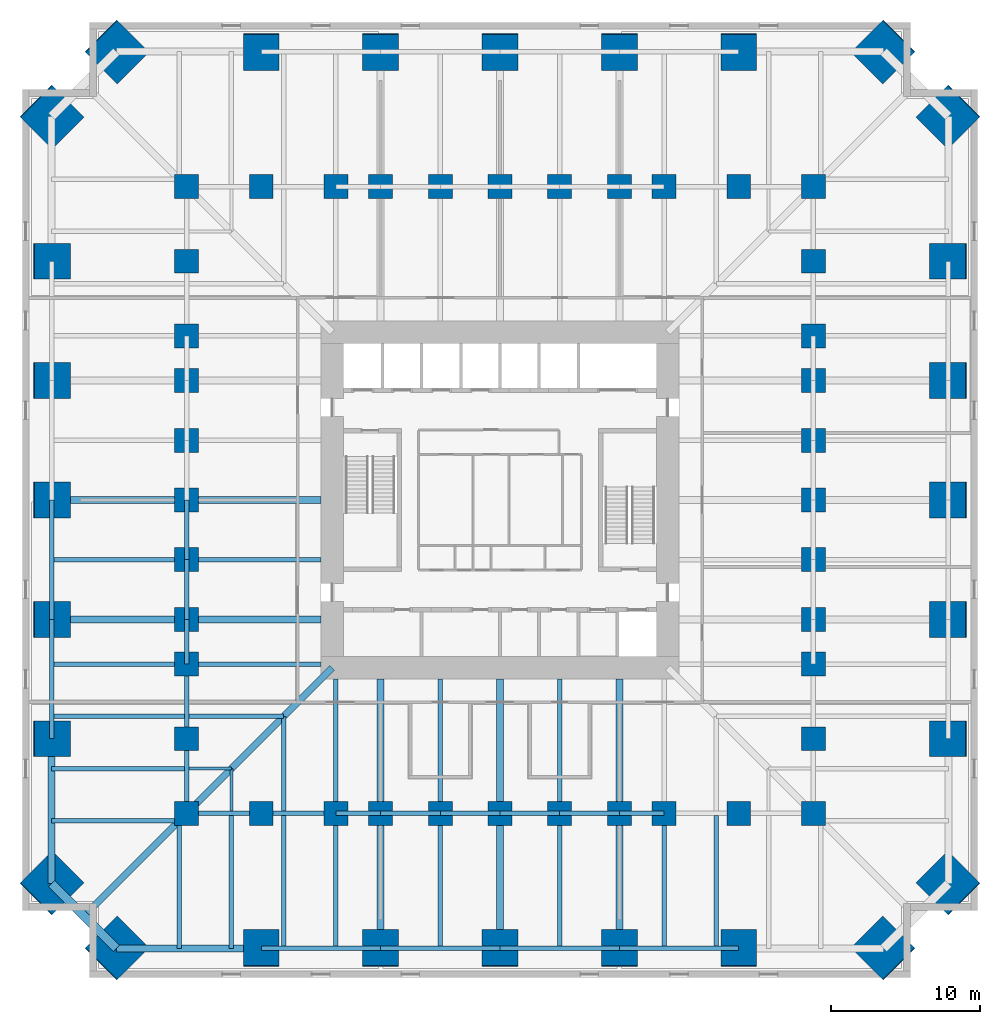
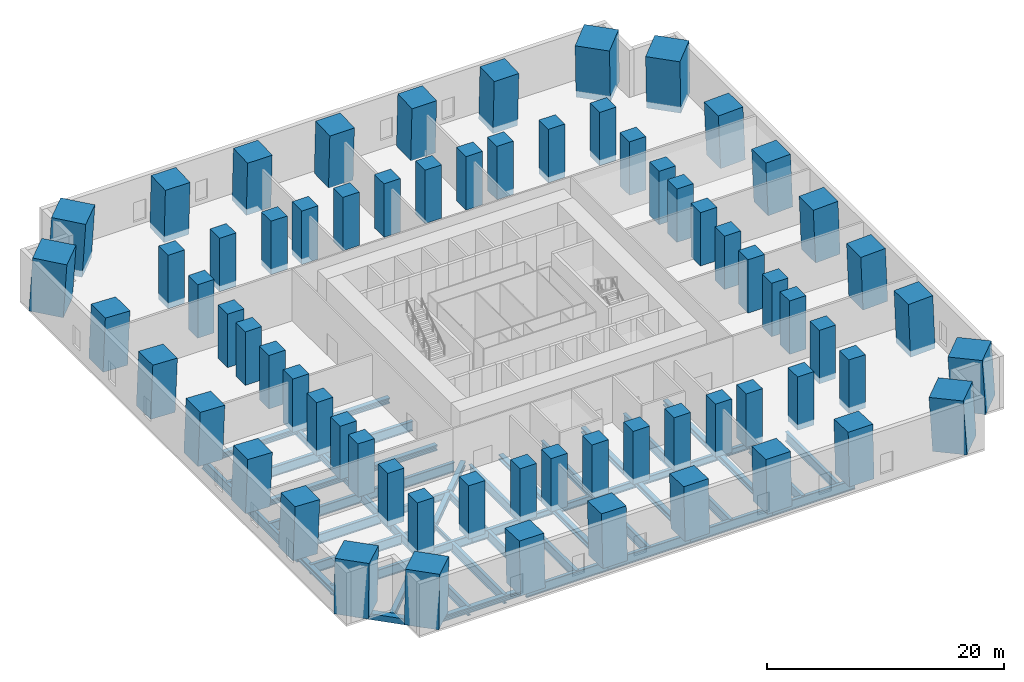
# One storey, part 1 of 8: 68 columns, 56 beams.
"""IFC4 building model written with IfcOpenShell, lengths in metres."""

from ifc_helpers import new_model, si_unit, direction, frame, origin, origin_2d, place, context, subcontext, project, spatial, rectangle, hollow_rectangle, i_section, extrude, material, material_profile, profile_set, type_object, element, save


model = new_model("IFC4")

# Units and contexts
model_context = context("Model", 3, precision=1e-05, world=origin(), true_north=direction((0.0, 1.0)))
body_context = subcontext(model_context, "Body", "Model", "MODEL_VIEW")
ifc_project = project(units=[si_unit("LENGTHUNIT", "METRE"), si_unit("AREAUNIT", "SQUARE_METRE"), si_unit("VOLUMEUNIT", "CUBIC_METRE"), si_unit("PLANEANGLEUNIT", "RADIAN"), si_unit("MASSUNIT", "GRAM", prefix="KILO")], contexts=[model_context])

# Site, building, storey
site_placement = place(None, origin())
site = spatial("IfcSite", under=ifc_project, at=site_placement, CompositionType="ELEMENT")
building_placement = place(site_placement, origin())
building = spatial("IfcBuilding", under=site, at=building_placement, Name="Peilmerk Tower", CompositionType="ELEMENT")
storey_placement = place(building_placement, frame((0.0, 0.0, 21.0)))
storey = spatial("IfcBuildingStorey", under=building, at=storey_placement, Name="L04", CompositionType="ELEMENT", Elevation=21.0)

# Columns
ifc_material_1 = material(Name="Concrete C90/105", Category="concrete")
ifc_material_profile_1 = material_profile(ifc_material_1, rectangle(XDim=3.0, YDim=3.0, at=origin_2d()), Name="RC 3000x3000")
ifc_profile_set_1 = profile_set([ifc_material_profile_1], Name="Concrete C90/105")
column_type_1 = type_object("IfcColumnType", Name="MC1 3000x3000 encased mega column", PredefinedType="COLUMN", material=ifc_profile_set_1)
for number, where, z_axis, x_axis, name in (
    (1, (25.699951171875, 30.050048828125, 0.0), (-0.04024000792, -0.040284325109, 0.998377641433), (0.707495835723, -0.706717512472, 0.0), "Mega column MC1 NE_N L04"),
    (2, (30.050048828125, 25.699951171875, 0.0), (-0.040284325109, -0.04024000792, 0.998377641433), (0.706717512472, -0.707495835723, 0.0), "Mega column MC1 NE_E L04"),
    (3, (30.050048828125, -25.699951171875, 0.0), (-0.040284325109, 0.04024000792, 0.998377641433), (-0.706717512472, -0.707495835723, 0.0), "Mega column MC1 SE_E L04"),
    (4, (25.699951171875, -30.050048828125, 0.0), (-0.04024000792, 0.040284325109, 0.998377641433), (-0.707495835723, -0.706717512472, 0.0), "Mega column MC1 SE_S L04"),
    (5, (-25.699951171875, -30.050048828125, 0.0), (0.04024000792, 0.040284325109, 0.998377641433), (-0.707495835723, 0.706717512472, 0.0), "Mega column MC1 SW_S L04"),
    (6, (-30.050048828125, -25.699951171875, 0.0), (0.040284325109, 0.04024000792, 0.998377641433), (-0.706717512472, 0.707495835723, 0.0), "Mega column MC1 SW_W L04"),
    (7, (-30.050048828125, 25.699951171875, 0.0), (0.040284325109, -0.04024000792, 0.998377641433), (0.706717512472, 0.707495835723, 0.0), "Mega column MC1 NW_W L04"),
    (8, (-25.699951171875, 30.050048828125, 0.0), (0.04024000792, -0.040284325109, 0.998377641433), (0.707495835723, 0.706717512472, 0.0), "Mega column MC1 NW_N L04"),
):
    element("IfcColumn", number, at=place(storey_placement, frame(where, z_axis=z_axis, x_axis=x_axis)), inside=storey, type_object=column_type_1, Name=name, PredefinedType="COLUMN", context=body_context, shape_type="SweptSolid", body=[
        extrude(rectangle(XDim=3.0, YDim=3.0, at=origin_2d()), origin(), (0.0, 0.0, 1.0), 5.509033203125),
    ])
ifc_material_profile_2 = material_profile(ifc_material_1, rectangle(XDim=2.39990234375, YDim=2.39990234375, at=origin_2d()), Name="RC 2400x2400")
ifc_profile_set_2 = profile_set([ifc_material_profile_2], Name="Concrete C90/105")
column_type_2 = type_object("IfcColumnType", Name="SC1 2400x2400 encased perimeter column", PredefinedType="COLUMN", material=ifc_profile_set_2)
for number, where, z_axis, x_axis, name in (
    (9, (0.0, 30.050048828125, 0.0), (0.0, -0.040316980135, 0.999186940023), (1.0, 0.0, 0.0), "Perimeter column N+0 L04"),
    (10, (8.0, 30.050048828125, 0.0), (0.0, -0.040316980135, 0.999186940023), (1.0, 0.0, 0.0), "Perimeter column N-8 L04"),
    (11, (-8.0, 30.050048828125, 0.0), (0.0, -0.040316980135, 0.999186940023), (1.0, 0.0, 0.0), "Perimeter column N+8 L04"),
    (12, (16.0, 30.050048828125, 0.0), (0.0, -0.040316980135, 0.999186940023), (1.0, 0.0, 0.0), "Perimeter column N-16 L04"),
    (13, (-16.0, 30.050048828125, 0.0), (0.0, -0.040316980135, 0.999186940023), (1.0, 0.0, 0.0), "Perimeter column N+16 L04"),
    (14, (30.050048828125, 0.0, 0.0), (-0.040316980135, 0.0, 0.999186940023), (0.0, -1.0, 0.0), "Perimeter column E+0 L04"),
    (15, (30.050048828125, -8.0, 0.0), (-0.040316980135, 0.0, 0.999186940023), (0.0, -1.0, 0.0), "Perimeter column E-8 L04"),
    (16, (30.050048828125, 8.0, 0.0), (-0.040316980135, 0.0, 0.999186940023), (0.0, -1.0, 0.0), "Perimeter column E+8 L04"),
    (17, (30.050048828125, -16.0, 0.0), (-0.040316980135, 0.0, 0.999186940023), (0.0, -1.0, 0.0), "Perimeter column E-16 L04"),
    (18, (30.050048828125, 16.0, 0.0), (-0.040316980135, 0.0, 0.999186940023), (0.0, -1.0, 0.0), "Perimeter column E+16 L04"),
    (19, (0.0, -30.050048828125, 0.0), (0.0, 0.040316980135, 0.999186940023), (-1.0, 0.0, 0.0), "Perimeter column S+0 L04"),
    (20, (-8.0, -30.050048828125, 0.0), (0.0, 0.040316980135, 0.999186940023), (-1.0, 0.0, 0.0), "Perimeter column S-8 L04"),
    (21, (8.0, -30.050048828125, 0.0), (0.0, 0.040316980135, 0.999186940023), (-1.0, 0.0, 0.0), "Perimeter column S+8 L04"),
    (22, (-16.0, -30.050048828125, 0.0), (0.0, 0.040316980135, 0.999186940023), (-1.0, 0.0, 0.0), "Perimeter column S-16 L04"),
    (23, (16.0, -30.050048828125, 0.0), (0.0, 0.040316980135, 0.999186940023), (-1.0, 0.0, 0.0), "Perimeter column S+16 L04"),
    (24, (-30.050048828125, 0.0, 0.0), (0.040316980135, 0.0, 0.999186940023), (0.0, 1.0, 0.0), "Perimeter column W+0 L04"),
    (25, (-30.050048828125, 8.0, 0.0), (0.040316980135, 0.0, 0.999186940023), (0.0, 1.0, 0.0), "Perimeter column W-8 L04"),
    (26, (-30.050048828125, -8.0, 0.0), (0.040316980135, 0.0, 0.999186940023), (0.0, 1.0, 0.0), "Perimeter column W+8 L04"),
    (27, (-30.050048828125, 16.0, 0.0), (0.040316980135, 0.0, 0.999186940023), (0.0, 1.0, 0.0), "Perimeter column W-16 L04"),
    (28, (-30.050048828125, -16.0, 0.0), (0.040316980135, 0.0, 0.999186940023), (0.0, 1.0, 0.0), "Perimeter column W+16 L04"),
):
    element("IfcColumn", number, at=place(storey_placement, frame(where, z_axis=z_axis, x_axis=x_axis)), inside=storey, type_object=column_type_2, Name=name, PredefinedType="COLUMN", context=body_context, shape_type="SweptSolid", body=[
        extrude(rectangle(XDim=2.39990234375, YDim=2.39990234375, at=origin_2d()), origin(), (0.0, 0.0, 1.0), 5.50439453125),
    ])
ifc_material_profile_3 = material_profile(ifc_material_1, rectangle(XDim=1.60009765625, YDim=1.60009765625, at=origin_2d()), Name="RC 1600x1600")
ifc_profile_set_3 = profile_set([ifc_material_profile_3], Name="Concrete C90/105")
column_type_3 = type_object("IfcColumnType", Name="SC2 1600x1600 encased interior column", PredefinedType="COLUMN", material=ifc_profile_set_3)
for number, where, z_axis, x_axis, name in (
    (29, (0.0, 21.0, 0.0), (0.0, 0.0, 1.0), (1.0, 0.0, 0.0), "Interior column N+0 L04"),
    (30, (4.0, 21.0, 0.0), (0.0, 0.0, 1.0), (1.0, 0.0, 0.0), "Interior column N-4 L04"),
    (31, (-4.0, 21.0, 0.0), (0.0, 0.0, 1.0), (1.0, 0.0, 0.0), "Interior column N+4 L04"),
    (32, (8.0, 21.0, 0.0), (0.0, 0.0, 1.0), (1.0, 0.0, 0.0), "Interior column N-8 L04"),
    (33, (-8.0, 21.0, 0.0), (0.0, 0.0, 1.0), (1.0, 0.0, 0.0), "Interior column N+8 L04"),
    (34, (11.0, 21.0, 0.0), (0.0, 0.0, 1.0), (1.0, 0.0, 0.0), "Interior column N-11 L04"),
    (35, (-11.0, 21.0, 0.0), (0.0, 0.0, 1.0), (1.0, 0.0, 0.0), "Interior column N+11 L04"),
    (36, (16.0, 21.0, 0.0), (0.0, 0.0, 1.0), (1.0, 0.0, 0.0), "Interior column N-16 L04"),
    (37, (-16.0, 21.0, 0.0), (0.0, 0.0, 1.0), (1.0, 0.0, 0.0), "Interior column N+16 L04"),
    (38, (21.0, 0.0, 0.0), (0.0, 0.0, 1.0), (1.0, 0.0, 0.0), "Interior column E+0 L04"),
    (39, (21.0, -4.0, 0.0), (0.0, 0.0, 1.0), (1.0, 0.0, 0.0), "Interior column E-4 L04"),
    (40, (21.0, 4.0, 0.0), (0.0, 0.0, 1.0), (1.0, 0.0, 0.0), "Interior column E+4 L04"),
    (41, (21.0, -8.0, 0.0), (0.0, 0.0, 1.0), (1.0, 0.0, 0.0), "Interior column E-8 L04"),
    (42, (21.0, 8.0, 0.0), (0.0, 0.0, 1.0), (1.0, 0.0, 0.0), "Interior column E+8 L04"),
    (43, (21.0, -11.0, 0.0), (0.0, 0.0, 1.0), (1.0, 0.0, 0.0), "Interior column E-11 L04"),
    (44, (21.0, 11.0, 0.0), (0.0, 0.0, 1.0), (1.0, 0.0, 0.0), "Interior column E+11 L04"),
    (45, (21.0, -16.0, 0.0), (0.0, 0.0, 1.0), (1.0, 0.0, 0.0), "Interior column E-16 L04"),
    (46, (21.0, 16.0, 0.0), (0.0, 0.0, 1.0), (1.0, 0.0, 0.0), "Interior column E+16 L04"),
    (47, (0.0, -21.0, 0.0), (0.0, 0.0, 1.0), (1.0, 0.0, 0.0), "Interior column S+0 L04"),
    (48, (-4.0, -21.0, 0.0), (0.0, 0.0, 1.0), (1.0, 0.0, 0.0), "Interior column S-4 L04"),
    (49, (4.0, -21.0, 0.0), (0.0, 0.0, 1.0), (1.0, 0.0, 0.0), "Interior column S+4 L04"),
    (50, (-8.0, -21.0, 0.0), (0.0, 0.0, 1.0), (1.0, 0.0, 0.0), "Interior column S-8 L04"),
    (51, (8.0, -21.0, 0.0), (0.0, 0.0, 1.0), (1.0, 0.0, 0.0), "Interior column S+8 L04"),
    (52, (-11.0, -21.0, 0.0), (0.0, 0.0, 1.0), (1.0, 0.0, 0.0), "Interior column S-11 L04"),
    (53, (11.0, -21.0, 0.0), (0.0, 0.0, 1.0), (1.0, 0.0, 0.0), "Interior column S+11 L04"),
    (54, (-16.0, -21.0, 0.0), (0.0, 0.0, 1.0), (1.0, 0.0, 0.0), "Interior column S-16 L04"),
    (55, (16.0, -21.0, 0.0), (0.0, 0.0, 1.0), (1.0, 0.0, 0.0), "Interior column S+16 L04"),
    (56, (-21.0, 0.0, 0.0), (0.0, 0.0, 1.0), (1.0, 0.0, 0.0), "Interior column W+0 L04"),
    (57, (-21.0, 4.0, 0.0), (0.0, 0.0, 1.0), (1.0, 0.0, 0.0), "Interior column W-4 L04"),
    (58, (-21.0, -4.0, 0.0), (0.0, 0.0, 1.0), (1.0, 0.0, 0.0), "Interior column W+4 L04"),
    (59, (-21.0, 8.0, 0.0), (0.0, 0.0, 1.0), (1.0, 0.0, 0.0), "Interior column W-8 L04"),
    (60, (-21.0, -8.0, 0.0), (0.0, 0.0, 1.0), (1.0, 0.0, 0.0), "Interior column W+8 L04"),
    (61, (-21.0, 11.0, 0.0), (0.0, 0.0, 1.0), (1.0, 0.0, 0.0), "Interior column W-11 L04"),
    (62, (-21.0, -11.0, 0.0), (0.0, 0.0, 1.0), (1.0, 0.0, 0.0), "Interior column W+11 L04"),
    (63, (-21.0, 16.0, 0.0), (0.0, 0.0, 1.0), (1.0, 0.0, 0.0), "Interior column W-16 L04"),
    (64, (-21.0, -16.0, 0.0), (0.0, 0.0, 1.0), (1.0, 0.0, 0.0), "Interior column W+16 L04"),
    (65, (21.0, 21.0, 0.0), (0.0, 0.0, 1.0), (1.0, 0.0, 0.0), "Interior column NE L04"),
    (66, (21.0, -21.0, 0.0), (0.0, 0.0, 1.0), (1.0, 0.0, 0.0), "Interior column SE L04"),
    (67, (-21.0, -21.0, 0.0), (0.0, 0.0, 1.0), (1.0, 0.0, 0.0), "Interior column SW L04"),
    (68, (-21.0, 21.0, 0.0), (0.0, 0.0, 1.0), (1.0, 0.0, 0.0), "Interior column NW L04"),
):
    element("IfcColumn", number, at=place(storey_placement, frame(where, z_axis=z_axis, x_axis=x_axis)), inside=storey, type_object=column_type_3, Name=name, PredefinedType="COLUMN", context=body_context, shape_type="SweptSolid", body=[
        extrude(rectangle(XDim=1.60009765625, YDim=1.60009765625, at=origin_2d()), origin(), (0.0, 0.0, 1.0), 5.5),
    ])

# Beams
ifc_material_2 = material(Name="Steel S355", Category="steel")
ifc_material_profile_4 = material_profile(ifc_material_2, i_section(OverallWidth=0.302001953125, OverallDepth=1.008056640625, WebThickness=0.02099609375, FlangeThickness=0.0400390625, at=origin_2d()), Name="HEM 1000")
ifc_profile_set_4 = profile_set([ifc_material_profile_4], Name="Steel S355")
beam_type_1 = type_object("IfcBeamType", Name="B1 HEM 1000 edge beam", PredefinedType="SPANDREL", material=ifc_profile_set_4)
for number, where, z_axis, x_axis, name in (
    (69, (-16.0, -30.050048828125, -0.7041015625), (1.0, 0.0, 0.0), (0.0, 1.0, 0.0), "Edge beam L04"),
    (70, (-8.0, -30.050048828125, -0.7041015625), (1.0, 0.0, 0.0), (0.0, 1.0, 0.0), "Edge beam L04"),
    (71, (0.0, -30.050048828125, -0.7041015625), (1.0, 0.0, 0.0), (0.0, 1.0, 0.0), "Edge beam L04"),
    (72, (8.0, -30.050048828125, -0.7041015625), (1.0, 0.0, 0.0), (0.0, 1.0, 0.0), "Edge beam L04"),
    (73, (-30.050048828125, 0.0, -0.7041015625), (0.0, -1.0, 0.0), (1.0, 0.0, 0.0), "Edge beam L04"),
    (74, (-30.050048828125, -8.0, -0.7041015625), (0.0, -1.0, 0.0), (1.0, 0.0, 0.0), "Edge beam L04"),
):
    element("IfcBeam", number, at=place(storey_placement, frame(where, z_axis=z_axis, x_axis=x_axis)), inside=storey, type_object=beam_type_1, Name=name, PredefinedType="SPANDREL", context=body_context, shape_type="SweptSolid", body=[
        extrude(i_section(OverallWidth=0.302001953125, OverallDepth=1.008056640625, WebThickness=0.02099609375, FlangeThickness=0.0400390625, at=origin_2d()), origin(), (0.0, 0.0, 1.0), 8.0),
    ])
ifc_material_profile_5 = material_profile(ifc_material_2, i_section(OverallWidth=0.300048828125, OverallDepth=0.989990234375, WebThickness=0.0166015625, FlangeThickness=0.031005859375, at=origin_2d()), Name="HEA 1000")
ifc_profile_set_5 = profile_set([ifc_material_profile_5], Name="Steel S355")
beam_type_2 = type_object("IfcBeamType", Name="B14 HEA 1000 floor girder", PredefinedType="BEAM", material=ifc_profile_set_5)
for number, where, z_axis, x_axis, name in (
    (75, (14.5, -21.15087890625, -0.695068359375), (0.0, -1.0, 0.0), (1.0, 0.0, 0.0), "Floor beam L04"),
    (76, (-14.5, -21.15087890625, -0.695068359375), (0.0, -1.0, 0.0), (1.0, 0.0, 0.0), "Floor beam L04"),
    (77, (-21.15087890625, -14.5, -0.695068359375), (-1.0, 0.0, 0.0), (0.0, -1.0, 0.0), "Floor beam L04"),
    (78, (-18.0, -21.15087890625, -0.695068359375), (0.0, -1.0, 0.0), (1.0, 0.0, 0.0), "Floor beam L04"),
    (79, (-21.15087890625, -18.0, -0.695068359375), (-1.0, 0.0, 0.0), (0.0, -1.0, 0.0), "Floor beam L04"),
):
    element("IfcBeam", number, at=place(storey_placement, frame(where, z_axis=z_axis, x_axis=x_axis)), inside=storey, type_object=beam_type_2, Name=name, PredefinedType="BEAM", context=body_context, shape_type="SweptSolid", body=[
        extrude(i_section(OverallWidth=0.300048828125, OverallDepth=0.989990234375, WebThickness=0.0166015625, FlangeThickness=0.031005859375, at=origin_2d()), origin(), (0.0, 0.0, 1.0), 8.899169921875),
    ])
for number, where, z_axis, x_axis, name in (
    (80, (-21.5, -21.5, -0.695068359375), (0.0, -1.0, 0.0), (1.0, 0.0, 0.0), "Floor beam L04"),
    (81, (-21.5, -21.5, -0.695068359375), (-1.0, 0.0, 0.0), (0.0, -1.0, 0.0), "Floor beam L04"),
):
    element("IfcBeam", number, at=place(storey_placement, frame(where, z_axis=z_axis, x_axis=x_axis)), inside=storey, type_object=beam_type_2, Name=name, PredefinedType="BEAM", context=body_context, shape_type="SweptSolid", body=[
        extrude(i_section(OverallWidth=0.300048828125, OverallDepth=0.989990234375, WebThickness=0.0166015625, FlangeThickness=0.031005859375, at=origin_2d()), origin(), (0.0, 0.0, 1.0), 8.550048828125),
    ])
ifc_material_profile_6 = material_profile(ifc_material_2, i_section(OverallWidth=0.300048828125, OverallDepth=0.68994140625, WebThickness=0.014404296875, FlangeThickness=0.027099609375, at=origin_2d()), Name="HEA 700")
ifc_profile_set_6 = profile_set([ifc_material_profile_6], Name="Steel S355")
beam_type_3 = type_object("IfcBeamType", Name="B16 HEA 700 floor beam", PredefinedType="BEAM", material=ifc_profile_set_6)
for number, where, z_axis, x_axis, name in (
    (82, (-14.5, -14.5, -0.544921875), (0.0, -1.0, 0.0), (1.0, 0.0, 0.0), "Floor beam L04"),
    (83, (-14.5, -14.5, -0.544921875), (-1.0, 0.0, 0.0), (0.0, -1.0, 0.0), "Floor beam L04"),
):
    element("IfcBeam", number, at=place(storey_placement, frame(where, z_axis=z_axis, x_axis=x_axis)), inside=storey, type_object=beam_type_3, Name=name, PredefinedType="BEAM", context=body_context, shape_type="SweptSolid", body=[
        extrude(i_section(OverallWidth=0.300048828125, OverallDepth=0.68994140625, WebThickness=0.014404296875, FlangeThickness=0.027099609375, at=origin_2d()), origin(), (0.0, 0.0, 1.0), 6.34912109375),
    ])
ifc_material_3 = material(Name="Steel S460", Category="steel")
ifc_material_profile_7 = material_profile(ifc_material_3, i_section(OverallWidth=0.4541015625, OverallDepth=0.569091796875, WebThickness=0.077880859375, FlangeThickness=0.125, at=origin_2d()), Name="HD 400x1086")
ifc_profile_set_7 = profile_set([ifc_material_profile_7], Name="Steel S460")
beam_type_4 = type_object("IfcBeamType", Name="B17 HD 400x1086 edge beam", PredefinedType="SPANDREL", material=ifc_profile_set_7)
for number, where, z_axis, x_axis, name in (
    (84, (-25.699951171875, -30.050048828125, -0.484619140625), (1.0, 0.0, 0.0), (0.0, 1.0, 0.0), "Edge beam L04"),
    (85, (-30.050048828125, -16.0, -0.484619140625), (0.0, -1.0, 0.0), (1.0, 0.0, 0.0), "Edge beam L04"),
):
    element("IfcBeam", number, at=place(storey_placement, frame(where, z_axis=z_axis, x_axis=x_axis)), inside=storey, type_object=beam_type_4, Name=name, PredefinedType="SPANDREL", context=body_context, shape_type="SweptSolid", body=[
        extrude(i_section(OverallWidth=0.4541015625, OverallDepth=0.569091796875, WebThickness=0.077880859375, FlangeThickness=0.125, at=origin_2d()), origin(), (0.0, 0.0, 1.0), 9.699951171875),
    ])
ifc_material_profile_8 = material_profile(ifc_material_2, i_section(OverallWidth=0.302001953125, OverallDepth=0.909912109375, WebThickness=0.02099609375, FlangeThickness=0.0400390625, at=origin_2d()), Name="HEM 900")
ifc_profile_set_8 = profile_set([ifc_material_profile_8], Name="Steel S355")
beam_type_5 = type_object("IfcBeamType", Name="B18 HEM 900 ring girder", PredefinedType="BEAM", material=ifc_profile_set_8)
for number, where, z_axis, x_axis, name in (
    (86, (-21.0, -21.0, -0.655029296875), (1.0, 0.0, 0.0), (0.0, 1.0, 0.0), "Ring girder L04"),
    (87, (-16.0, -21.0, -0.655029296875), (1.0, 0.0, 0.0), (0.0, 1.0, 0.0), "Ring girder L04"),
    (88, (-21.0, -11.0, -0.655029296875), (0.0, -1.0, 0.0), (1.0, 0.0, 0.0), "Ring girder L04"),
    (89, (-21.0, -16.0, -0.655029296875), (0.0, -1.0, 0.0), (1.0, 0.0, 0.0), "Ring girder L04"),
):
    element("IfcBeam", number, at=place(storey_placement, frame(where, z_axis=z_axis, x_axis=x_axis)), inside=storey, type_object=beam_type_5, Name=name, PredefinedType="BEAM", context=body_context, shape_type="SweptSolid", body=[
        extrude(i_section(OverallWidth=0.302001953125, OverallDepth=0.909912109375, WebThickness=0.02099609375, FlangeThickness=0.0400390625, at=origin_2d()), origin(), (0.0, 0.0, 1.0), 5.0),
    ])
ifc_material_profile_9 = material_profile(ifc_material_2, i_section(OverallWidth=0.303955078125, OverallDepth=0.716064453125, WebThickness=0.02099609375, FlangeThickness=0.0400390625, at=origin_2d()), Name="HEM 700")
ifc_profile_set_9 = profile_set([ifc_material_profile_9], Name="Steel S355")
beam_type_6 = type_object("IfcBeamType", Name="B19 HEM 700 ring girder", PredefinedType="BEAM", material=ifc_profile_set_9)
for number, where, z_axis, x_axis, name in (
    (90, (-8.0, -21.0, -0.55810546875), (1.0, 0.0, 0.0), (0.0, 1.0, 0.0), "Ring girder L04"),
    (91, (-4.0, -21.0, -0.55810546875), (1.0, 0.0, 0.0), (0.0, 1.0, 0.0), "Ring girder L04"),
    (92, (0.0, -21.0, -0.55810546875), (1.0, 0.0, 0.0), (0.0, 1.0, 0.0), "Ring girder L04"),
    (93, (4.0, -21.0, -0.55810546875), (1.0, 0.0, 0.0), (0.0, 1.0, 0.0), "Ring girder L04"),
    (94, (-21.0, 0.0, -0.55810546875), (0.0, -1.0, 0.0), (1.0, 0.0, 0.0), "Ring girder L04"),
    (95, (-21.0, -4.0, -0.55810546875), (0.0, -1.0, 0.0), (1.0, 0.0, 0.0), "Ring girder L04"),
):
    element("IfcBeam", number, at=place(storey_placement, frame(where, z_axis=z_axis, x_axis=x_axis)), inside=storey, type_object=beam_type_6, Name=name, PredefinedType="BEAM", context=body_context, shape_type="SweptSolid", body=[
        extrude(i_section(OverallWidth=0.303955078125, OverallDepth=0.716064453125, WebThickness=0.02099609375, FlangeThickness=0.0400390625, at=origin_2d()), origin(), (0.0, 0.0, 1.0), 4.0),
    ])
ifc_material_profile_10 = material_profile(ifc_material_3, hollow_rectangle(XDim=0.60009765625, YDim=0.60009765625, WallThickness=0.06005859375, at=origin_2d()), Name="BOX 600x600x60")
ifc_profile_set_10 = profile_set([ifc_material_profile_10], Name="Steel S460")
beam_type_7 = type_object("IfcBeamType", Name="B20 BOX 600x600x60 notch beam", PredefinedType="SPANDREL", material=ifc_profile_set_10)
beam_1_placement = place(storey_placement, frame((-25.699951171875, -30.050048828125, -0.5), z_axis=(-0.707106781187, 0.707106781187, 0.0), x_axis=(-0.707106781187, -0.707106781187, 0.0)))
element("IfcBeam", 96, at=beam_1_placement, inside=storey, type_object=beam_type_7, Name="Notch beam L04", PredefinedType="SPANDREL", context=body_context, shape_type="SweptSolid", body=[
    extrude(hollow_rectangle(XDim=0.60009765625, YDim=0.60009765625, WallThickness=0.06005859375, at=origin_2d()), origin(), (0.0, 0.0, 1.0), 6.15185546875),
])
ifc_material_profile_11 = material_profile(ifc_material_2, i_section(OverallWidth=0.18994140625, OverallDepth=0.449951171875, WebThickness=0.009521484375, FlangeThickness=0.0146484375, at=origin_2d()), Name="IPE 450")
ifc_profile_set_11 = profile_set([ifc_material_profile_11], Name="Steel S355")
beam_type_8 = type_object("IfcBeamType", Name="B21 IPE 450 floor beam", PredefinedType="BEAM", material=ifc_profile_set_11)
for number, where, z_axis, x_axis, name in (
    (97, (-18.0, -18.0, -0.425048828125), (0.0, -1.0, 0.0), (1.0, 0.0, 0.0), "Floor beam L04"),
    (98, (-18.0, -18.0, -0.425048828125), (-1.0, 0.0, 0.0), (0.0, -1.0, 0.0), "Floor beam L04"),
):
    element("IfcBeam", number, at=place(storey_placement, frame(where, z_axis=z_axis, x_axis=x_axis)), inside=storey, type_object=beam_type_8, Name=name, PredefinedType="BEAM", context=body_context, shape_type="SweptSolid", body=[
        extrude(i_section(OverallWidth=0.18994140625, OverallDepth=0.449951171875, WebThickness=0.009521484375, FlangeThickness=0.0146484375, at=origin_2d()), origin(), (0.0, 0.0, 1.0), 2.84912109375),
    ])
ifc_material_profile_12 = material_profile(ifc_material_2, i_section(OverallWidth=0.300048828125, OverallDepth=1.0, WebThickness=0.01904296875, FlangeThickness=0.035888671875, at=origin_2d()), Name="HEB 1000")
ifc_profile_set_12 = profile_set([ifc_material_profile_12], Name="Steel S355")
beam_type_9 = type_object("IfcBeamType", Name="B5 HEB 1000 floor girder", PredefinedType="BEAM", material=ifc_profile_set_12)
beam_2_placement = place(storey_placement, frame((-11.0, -12.0, -0.699951171875), z_axis=(0.0, -1.0, 0.0), x_axis=(1.0, 0.0, 0.0)))
element("IfcBeam", 99, at=beam_2_placement, inside=storey, type_object=beam_type_9, Name="Floor beam L04", PredefinedType="BEAM", context=body_context, shape_type="SweptSolid", body=[
    extrude(i_section(OverallWidth=0.300048828125, OverallDepth=1.0, WebThickness=0.01904296875, FlangeThickness=0.035888671875, at=origin_2d()), origin(), (0.0, 0.0, 1.0), 9.0),
])
beam_3_placement = place(storey_placement, frame((-11.0, -21.0, -0.699951171875), z_axis=(0.0, -1.0, 0.0), x_axis=(1.0, 0.0, 0.0)))
element("IfcBeam", 100, at=beam_3_placement, inside=storey, type_object=beam_type_9, Name="Floor beam L04", PredefinedType="BEAM", context=body_context, shape_type="SweptSolid", body=[
    extrude(i_section(OverallWidth=0.300048828125, OverallDepth=1.0, WebThickness=0.01904296875, FlangeThickness=0.035888671875, at=origin_2d()), origin(), (0.0, 0.0, 1.0), 9.050048828125),
])
beam_4_placement = place(storey_placement, frame((-4.0, -12.0, -0.699951171875), z_axis=(0.0, -1.0, 0.0), x_axis=(1.0, 0.0, 0.0)))
element("IfcBeam", 101, at=beam_4_placement, inside=storey, type_object=beam_type_9, Name="Floor beam L04", PredefinedType="BEAM", context=body_context, shape_type="SweptSolid", body=[
    extrude(i_section(OverallWidth=0.300048828125, OverallDepth=1.0, WebThickness=0.01904296875, FlangeThickness=0.035888671875, at=origin_2d()), origin(), (0.0, 0.0, 1.0), 9.0),
])
beam_5_placement = place(storey_placement, frame((-4.0, -21.0, -0.699951171875), z_axis=(0.0, -1.0, 0.0), x_axis=(1.0, 0.0, 0.0)))
element("IfcBeam", 102, at=beam_5_placement, inside=storey, type_object=beam_type_9, Name="Floor beam L04", PredefinedType="BEAM", context=body_context, shape_type="SweptSolid", body=[
    extrude(i_section(OverallWidth=0.300048828125, OverallDepth=1.0, WebThickness=0.01904296875, FlangeThickness=0.035888671875, at=origin_2d()), origin(), (0.0, 0.0, 1.0), 9.050048828125),
])
beam_6_placement = place(storey_placement, frame((4.0, -12.0, -0.699951171875), z_axis=(0.0, -1.0, 0.0), x_axis=(1.0, 0.0, 0.0)))
element("IfcBeam", 103, at=beam_6_placement, inside=storey, type_object=beam_type_9, Name="Floor beam L04", PredefinedType="BEAM", context=body_context, shape_type="SweptSolid", body=[
    extrude(i_section(OverallWidth=0.300048828125, OverallDepth=1.0, WebThickness=0.01904296875, FlangeThickness=0.035888671875, at=origin_2d()), origin(), (0.0, 0.0, 1.0), 9.0),
])
for number, where, z_axis, x_axis, name in (
    (104, (4.0, -21.0, -0.699951171875), (0.0, -1.0, 0.0), (1.0, 0.0, 0.0), "Floor beam L04"),
    (105, (11.0, -21.0, -0.699951171875), (0.0, -1.0, 0.0), (1.0, 0.0, 0.0), "Floor beam L04"),
):
    element("IfcBeam", number, at=place(storey_placement, frame(where, z_axis=z_axis, x_axis=x_axis)), inside=storey, type_object=beam_type_9, Name=name, PredefinedType="BEAM", context=body_context, shape_type="SweptSolid", body=[
        extrude(i_section(OverallWidth=0.300048828125, OverallDepth=1.0, WebThickness=0.01904296875, FlangeThickness=0.035888671875, at=origin_2d()), origin(), (0.0, 0.0, 1.0), 9.050048828125),
    ])
beam_7_placement = place(storey_placement, frame((-12.0, -4.0, -0.699951171875), z_axis=(-1.0, 0.0, 0.0), x_axis=(0.0, -1.0, 0.0)))
element("IfcBeam", 106, at=beam_7_placement, inside=storey, type_object=beam_type_9, Name="Floor beam L04", PredefinedType="BEAM", context=body_context, shape_type="SweptSolid", body=[
    extrude(i_section(OverallWidth=0.300048828125, OverallDepth=1.0, WebThickness=0.01904296875, FlangeThickness=0.035888671875, at=origin_2d()), origin(), (0.0, 0.0, 1.0), 9.0),
])
beam_8_placement = place(storey_placement, frame((-21.0, -4.0, -0.699951171875), z_axis=(-1.0, 0.0, 0.0), x_axis=(0.0, -1.0, 0.0)))
element("IfcBeam", 107, at=beam_8_placement, inside=storey, type_object=beam_type_9, Name="Floor beam L04", PredefinedType="BEAM", context=body_context, shape_type="SweptSolid", body=[
    extrude(i_section(OverallWidth=0.300048828125, OverallDepth=1.0, WebThickness=0.01904296875, FlangeThickness=0.035888671875, at=origin_2d()), origin(), (0.0, 0.0, 1.0), 9.050048828125),
])
beam_9_placement = place(storey_placement, frame((-12.0, -11.0, -0.699951171875), z_axis=(-1.0, 0.0, 0.0), x_axis=(0.0, -1.0, 0.0)))
element("IfcBeam", 108, at=beam_9_placement, inside=storey, type_object=beam_type_9, Name="Floor beam L04", PredefinedType="BEAM", context=body_context, shape_type="SweptSolid", body=[
    extrude(i_section(OverallWidth=0.300048828125, OverallDepth=1.0, WebThickness=0.01904296875, FlangeThickness=0.035888671875, at=origin_2d()), origin(), (0.0, 0.0, 1.0), 9.0),
])
beam_10_placement = place(storey_placement, frame((-21.0, -11.0, -0.699951171875), z_axis=(-1.0, 0.0, 0.0), x_axis=(0.0, -1.0, 0.0)))
element("IfcBeam", 109, at=beam_10_placement, inside=storey, type_object=beam_type_9, Name="Floor beam L04", PredefinedType="BEAM", context=body_context, shape_type="SweptSolid", body=[
    extrude(i_section(OverallWidth=0.300048828125, OverallDepth=1.0, WebThickness=0.01904296875, FlangeThickness=0.035888671875, at=origin_2d()), origin(), (0.0, 0.0, 1.0), 9.050048828125),
])
ifc_material_profile_13 = material_profile(ifc_material_2, i_section(OverallWidth=0.304931640625, OverallDepth=0.6201171875, WebThickness=0.02099609375, FlangeThickness=0.0400390625, at=origin_2d()), Name="HEM 600")
ifc_profile_set_13 = profile_set([ifc_material_profile_13], Name="Steel S355")
beam_type_10 = type_object("IfcBeamType", Name="B6 HEM 600 ring girder", PredefinedType="BEAM", material=ifc_profile_set_13)
for number, where, z_axis, x_axis, name in (
    (110, (-11.0, -21.0, -0.510009765625), (1.0, 0.0, 0.0), (0.0, 1.0, 0.0), "Ring girder L04"),
    (111, (8.0, -21.0, -0.510009765625), (1.0, 0.0, 0.0), (0.0, 1.0, 0.0), "Ring girder L04"),
    (112, (-21.0, -8.0, -0.510009765625), (0.0, -1.0, 0.0), (1.0, 0.0, 0.0), "Ring girder L04"),
):
    element("IfcBeam", number, at=place(storey_placement, frame(where, z_axis=z_axis, x_axis=x_axis)), inside=storey, type_object=beam_type_10, Name=name, PredefinedType="BEAM", context=body_context, shape_type="SweptSolid", body=[
        extrude(i_section(OverallWidth=0.304931640625, OverallDepth=0.6201171875, WebThickness=0.02099609375, FlangeThickness=0.0400390625, at=origin_2d()), origin(), (0.0, 0.0, 1.0), 3.0),
    ])
ifc_material_profile_14 = material_profile(ifc_material_3, i_section(OverallWidth=0.4541015625, OverallDepth=0.569091796875, WebThickness=0.077880859375, FlangeThickness=0.125, at=origin_2d()), Name="HD 400x1086")
ifc_profile_set_14 = profile_set([ifc_material_profile_14], Name="Steel S460")
beam_type_11 = type_object("IfcBeamType", Name="B9 HD 400x1086 corner girder", PredefinedType="BEAM", material=ifc_profile_set_14)
beam_11_placement = place(storey_placement, frame((-8.0, -12.0, -0.484619140625), z_axis=(0.0, -1.0, 0.0), x_axis=(1.0, 0.0, 0.0)))
element("IfcBeam", 113, at=beam_11_placement, inside=storey, type_object=beam_type_11, Name="Floor girder L04", PredefinedType="BEAM", context=body_context, shape_type="SweptSolid", body=[
    extrude(i_section(OverallWidth=0.4541015625, OverallDepth=0.569091796875, WebThickness=0.077880859375, FlangeThickness=0.125, at=origin_2d()), origin(), (0.0, 0.0, 1.0), 9.0),
])
beam_12_placement = place(storey_placement, frame((-8.0, -21.0, -0.484619140625), z_axis=(0.0, -1.0, 0.0), x_axis=(1.0, 0.0, 0.0)))
element("IfcBeam", 114, at=beam_12_placement, inside=storey, type_object=beam_type_11, Name="Floor girder L04", PredefinedType="BEAM", context=body_context, shape_type="SweptSolid", body=[
    extrude(i_section(OverallWidth=0.4541015625, OverallDepth=0.569091796875, WebThickness=0.077880859375, FlangeThickness=0.125, at=origin_2d()), origin(), (0.0, 0.0, 1.0), 9.050048828125),
])
beam_13_placement = place(storey_placement, frame((0.0, -12.0, -0.484619140625), z_axis=(0.0, -1.0, 0.0), x_axis=(1.0, 0.0, 0.0)))
element("IfcBeam", 115, at=beam_13_placement, inside=storey, type_object=beam_type_11, Name="Floor girder L04", PredefinedType="BEAM", context=body_context, shape_type="SweptSolid", body=[
    extrude(i_section(OverallWidth=0.4541015625, OverallDepth=0.569091796875, WebThickness=0.077880859375, FlangeThickness=0.125, at=origin_2d()), origin(), (0.0, 0.0, 1.0), 9.0),
])
beam_14_placement = place(storey_placement, frame((0.0, -21.0, -0.484619140625), z_axis=(0.0, -1.0, 0.0), x_axis=(1.0, 0.0, 0.0)))
element("IfcBeam", 116, at=beam_14_placement, inside=storey, type_object=beam_type_11, Name="Floor girder L04", PredefinedType="BEAM", context=body_context, shape_type="SweptSolid", body=[
    extrude(i_section(OverallWidth=0.4541015625, OverallDepth=0.569091796875, WebThickness=0.077880859375, FlangeThickness=0.125, at=origin_2d()), origin(), (0.0, 0.0, 1.0), 9.050048828125),
])
beam_15_placement = place(storey_placement, frame((8.0, -12.0, -0.484619140625), z_axis=(0.0, -1.0, 0.0), x_axis=(1.0, 0.0, 0.0)))
element("IfcBeam", 117, at=beam_15_placement, inside=storey, type_object=beam_type_11, Name="Floor girder L04", PredefinedType="BEAM", context=body_context, shape_type="SweptSolid", body=[
    extrude(i_section(OverallWidth=0.4541015625, OverallDepth=0.569091796875, WebThickness=0.077880859375, FlangeThickness=0.125, at=origin_2d()), origin(), (0.0, 0.0, 1.0), 9.0),
])
beam_16_placement = place(storey_placement, frame((8.0, -21.0, -0.484619140625), z_axis=(0.0, -1.0, 0.0), x_axis=(1.0, 0.0, 0.0)))
element("IfcBeam", 118, at=beam_16_placement, inside=storey, type_object=beam_type_11, Name="Floor girder L04", PredefinedType="BEAM", context=body_context, shape_type="SweptSolid", body=[
    extrude(i_section(OverallWidth=0.4541015625, OverallDepth=0.569091796875, WebThickness=0.077880859375, FlangeThickness=0.125, at=origin_2d()), origin(), (0.0, 0.0, 1.0), 9.050048828125),
])
beam_17_placement = place(storey_placement, frame((-12.0, 0.0, -0.484619140625), z_axis=(-1.0, 0.0, 0.0), x_axis=(0.0, -1.0, 0.0)))
element("IfcBeam", 119, at=beam_17_placement, inside=storey, type_object=beam_type_11, Name="Floor girder L04", PredefinedType="BEAM", context=body_context, shape_type="SweptSolid", body=[
    extrude(i_section(OverallWidth=0.4541015625, OverallDepth=0.569091796875, WebThickness=0.077880859375, FlangeThickness=0.125, at=origin_2d()), origin(), (0.0, 0.0, 1.0), 9.0),
])
beam_18_placement = place(storey_placement, frame((-21.0, 0.0, -0.484619140625), z_axis=(-1.0, 0.0, 0.0), x_axis=(0.0, -1.0, 0.0)))
element("IfcBeam", 120, at=beam_18_placement, inside=storey, type_object=beam_type_11, Name="Floor girder L04", PredefinedType="BEAM", context=body_context, shape_type="SweptSolid", body=[
    extrude(i_section(OverallWidth=0.4541015625, OverallDepth=0.569091796875, WebThickness=0.077880859375, FlangeThickness=0.125, at=origin_2d()), origin(), (0.0, 0.0, 1.0), 9.050048828125),
])
beam_19_placement = place(storey_placement, frame((-12.0, -8.0, -0.484619140625), z_axis=(-1.0, 0.0, 0.0), x_axis=(0.0, -1.0, 0.0)))
element("IfcBeam", 121, at=beam_19_placement, inside=storey, type_object=beam_type_11, Name="Floor girder L04", PredefinedType="BEAM", context=body_context, shape_type="SweptSolid", body=[
    extrude(i_section(OverallWidth=0.4541015625, OverallDepth=0.569091796875, WebThickness=0.077880859375, FlangeThickness=0.125, at=origin_2d()), origin(), (0.0, 0.0, 1.0), 9.0),
])
beam_20_placement = place(storey_placement, frame((-21.0, -8.0, -0.484619140625), z_axis=(-1.0, 0.0, 0.0), x_axis=(0.0, -1.0, 0.0)))
element("IfcBeam", 122, at=beam_20_placement, inside=storey, type_object=beam_type_11, Name="Floor girder L04", PredefinedType="BEAM", context=body_context, shape_type="SweptSolid", body=[
    extrude(i_section(OverallWidth=0.4541015625, OverallDepth=0.569091796875, WebThickness=0.077880859375, FlangeThickness=0.125, at=origin_2d()), origin(), (0.0, 0.0, 1.0), 9.050048828125),
])
beam_21_placement = place(storey_placement, frame((-11.25, -11.25, -0.484619140625), z_axis=(-0.707106781187, -0.707106781187, 0.0), x_axis=(0.707106781187, -0.707106781187, 0.0)))
element("IfcBeam", 123, at=beam_21_placement, inside=storey, type_object=beam_type_11, Name="Corner girder L04", PredefinedType="BEAM", context=body_context, shape_type="SweptSolid", body=[
    extrude(i_section(OverallWidth=0.4541015625, OverallDepth=0.569091796875, WebThickness=0.077880859375, FlangeThickness=0.125, at=origin_2d()), origin(), (0.0, 0.0, 1.0), 13.78857421875),
])
beam_22_placement = place(storey_placement, frame((-21.0, -21.0, -0.484619140625), z_axis=(-0.707106781187, -0.707106781187, 0.0), x_axis=(0.707106781187, -0.707106781187, 0.0)))
element("IfcBeam", 124, at=beam_22_placement, inside=storey, type_object=beam_type_11, Name="Corner girder L04", PredefinedType="BEAM", context=body_context, shape_type="SweptSolid", body=[
    extrude(i_section(OverallWidth=0.4541015625, OverallDepth=0.569091796875, WebThickness=0.077880859375, FlangeThickness=0.125, at=origin_2d()), origin(), (0.0, 0.0, 1.0), 9.72265625),
])

save(model, "model.ifc")
